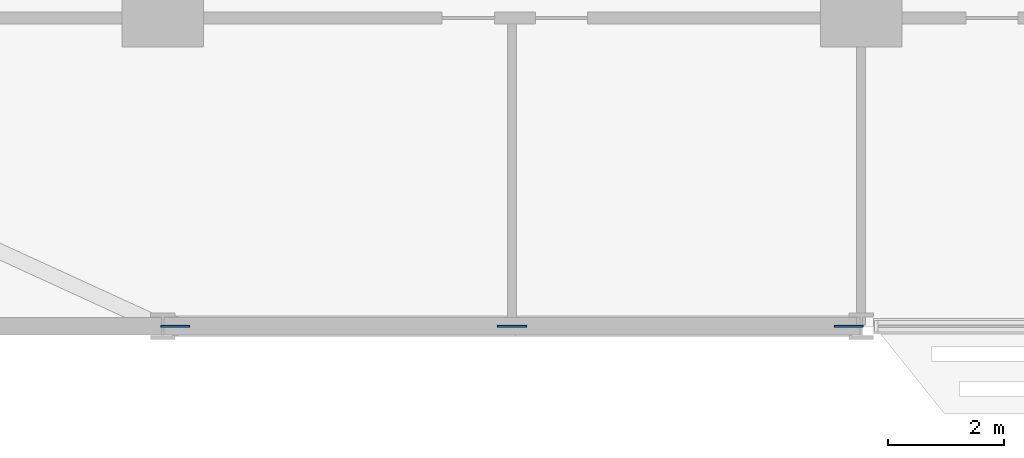
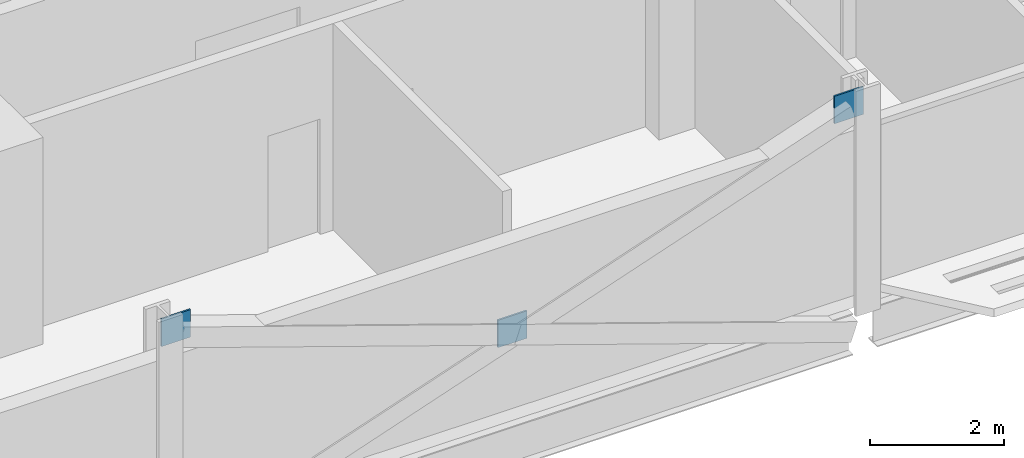
# One storey, part 19 of 29: 3 discrete accessories.
"""IFC4 building model written with IfcOpenShell, lengths in metres."""

from ifc_helpers import new_model, si_unit, direction, frame, origin, origin_2d, place, context, subcontext, project, spatial, rectangle, extrude, material, layer, layer_set, type_object, element, save


model = new_model("IFC4")

# Units and contexts
model_context = context("Model", 3, precision=1e-05, world=origin(), true_north=direction((0.0, 1.0)))
body_context = subcontext(model_context, "Body", "Model", "MODEL_VIEW")
ifc_project = project(units=[si_unit("LENGTHUNIT", "METRE"), si_unit("AREAUNIT", "SQUARE_METRE"), si_unit("VOLUMEUNIT", "CUBIC_METRE"), si_unit("PLANEANGLEUNIT", "RADIAN"), si_unit("MASSUNIT", "GRAM", prefix="KILO")], contexts=[model_context])

# Site, building, storey
site_placement = place(None, origin())
site = spatial("IfcSite", under=ifc_project, at=site_placement, CompositionType="ELEMENT")
building_placement = place(site_placement, origin())
building = spatial("IfcBuilding", under=site, at=building_placement, Name="Mahtab Terrace Research Tower", CompositionType="ELEMENT")
storey_placement = place(building_placement, frame((0.0, 0.0, 109.39990234375)))
storey = spatial("IfcBuildingStorey", under=building, at=storey_placement, Name="L25", CompositionType="ELEMENT", Elevation=109.39990234375)

# Discrete accessories
ifc_material = material(Name="Steel ASTM A992 Gr 50", Category="steel")
ifc_layer = layer(ifc_material, 0.030029296875)
ifc_layer_set = layer_set([ifc_layer], Name="Gusset plate 500x500x30")
discrete_accessory_type = type_object("IfcDiscreteAccessoryType", Name="Gusset plate 500x500x30", PredefinedType="USERDEFINED", material=ifc_layer_set)
for number, where, z_axis, x_axis, name in (
    (1, (-29.790283203125, -17.0, 3.1298828125), (0.0, 0.0, 1.0), (1.0, 0.0, 0.0), "Gusset plate"),
    (2, (-24.0, -17.0, 1.081787109375), (0.0, 0.0, 1.0), (1.0, 0.0, 0.0), "Gusset plate"),
    (3, (-18.209716796875, -17.0, 3.1298828125), (0.0, 0.0, 1.0), (1.0, 0.0, 0.0), "Gusset plate"),
):
    element("IfcDiscreteAccessory", number, at=place(storey_placement, frame(where, z_axis=z_axis, x_axis=x_axis)), inside=storey, type_object=discrete_accessory_type, Name=name, ObjectType="GUSSET PLATE", PredefinedType="USERDEFINED", context=body_context, shape_type="SweptSolid", body=[
        extrude(rectangle(XDim=0.5, YDim=0.030029296875, at=origin_2d()), origin(), (0.0, 0.0, 1.0), 0.5),
    ])

save(model, "model.ifc")
